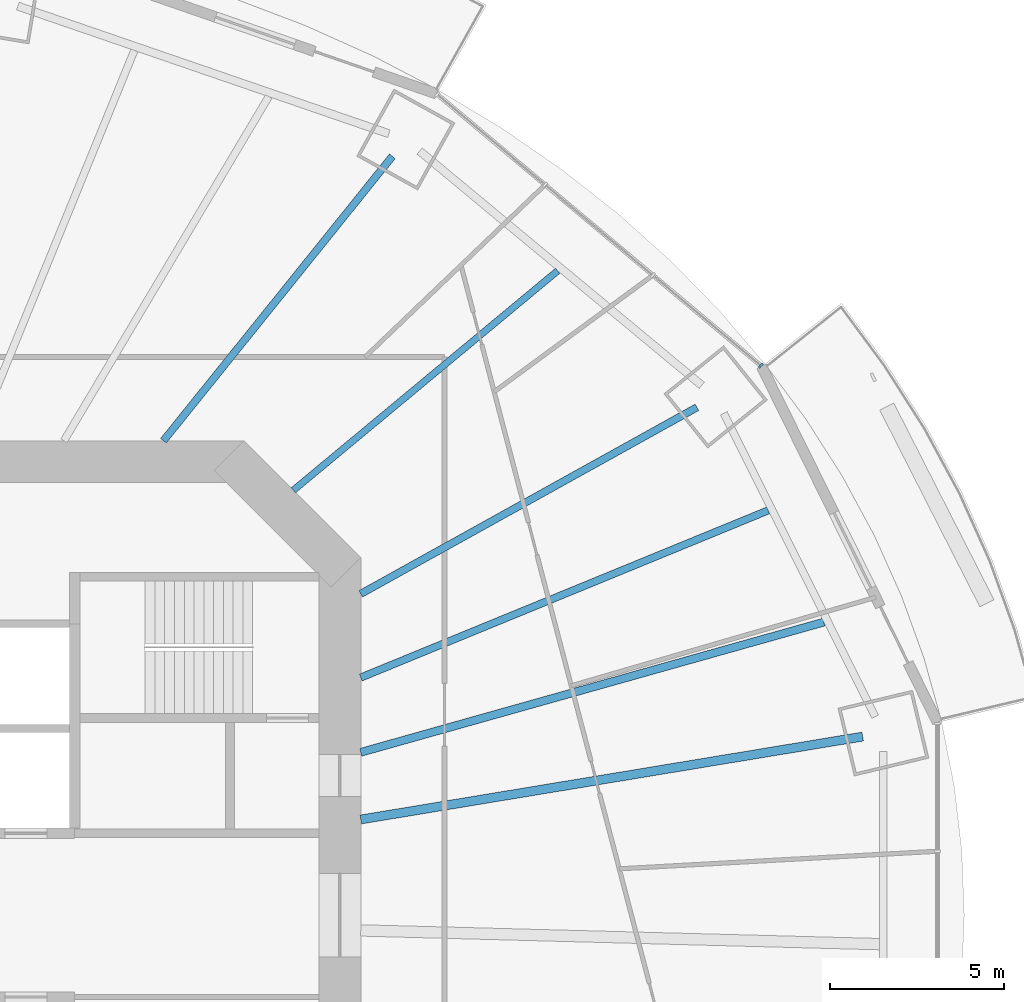
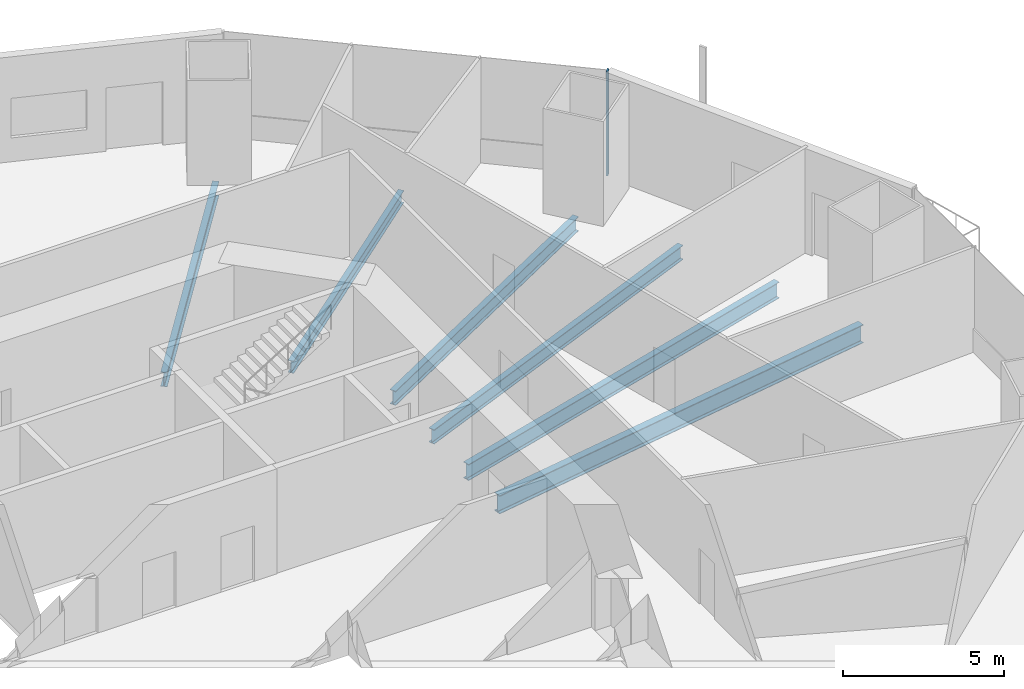
# One storey, part 8 of 21: 6 beams, 1 member, 1 element without a shape of its own.
"""IFC4 building model written with IfcOpenShell, lengths in metres."""

from ifc_helpers import new_model, si_unit, direction, frame, origin, origin_2d, place, context, subcontext, project, spatial, rectangle, i_section, extrude, material, material_profile, profile_set, type_object, element, aggregate, save


model = new_model("IFC4")

# Units and contexts
model_context = context("Model", 3, precision=1e-05, world=origin(), true_north=direction((0.0, 1.0)))
body_context = subcontext(model_context, "Body", "Model", "MODEL_VIEW")
ifc_project = project(units=[si_unit("LENGTHUNIT", "METRE"), si_unit("AREAUNIT", "SQUARE_METRE"), si_unit("VOLUMEUNIT", "CUBIC_METRE"), si_unit("PLANEANGLEUNIT", "RADIAN"), si_unit("MASSUNIT", "GRAM", prefix="KILO")], contexts=[model_context])

# Site, building, storey
site_placement = place(None, origin())
site = spatial("IfcSite", under=ifc_project, at=site_placement, CompositionType="ELEMENT")
building_placement = place(site_placement, origin())
building = spatial("IfcBuilding", under=site, at=building_placement, Name="Marenthal Gate Tower", CompositionType="ELEMENT")
storey_placement = place(building_placement, frame((0.0, 0.0, 128.449951171875)))
storey = spatial("IfcBuildingStorey", under=building, at=storey_placement, Name="L27", CompositionType="ELEMENT", Elevation=128.449951171875)

# Curtain wall, member
ifc_material_1 = material(Name="Aluminium and glass", Category="aluminium")
curtain_wall_type = type_object("IfcCurtainWallType", Name="Curtain wall typical low", PredefinedType="NOTDEFINED", material=ifc_material_1)
curtain_wall_placement = place(storey_placement, origin())
curtain_wall = element("IfcCurtainWall", 1, at=curtain_wall_placement, inside=storey, type_object=curtain_wall_type, Name="Curtain wall L27 bay 2", PredefinedType="NOTDEFINED")
ifc_material_2 = material(Name="Aluminium", Category="aluminium")
ifc_material_profile_1 = material_profile(ifc_material_2, rectangle(XDim=0.159912109375, YDim=0.06005859375, at=origin_2d()), Name="60x160 aluminium mullion")
ifc_profile_set_1 = profile_set([ifc_material_profile_1], Name="Aluminium")
member_type = type_object("IfcMemberType", Name="Mullion 60x160 typical low", PredefinedType="MULLION", material=ifc_profile_set_1)
member_placement = place(storey_placement, frame((28.0673828125, 15.754150390625, 0.0), z_axis=(0.0, 0.0, 1.0), x_axis=(-0.642437868504, -0.766337774817, 0.0)))
member = element("IfcMember", 2, at=member_placement, type_object=member_type, Name="Mullion L27 bay 2.1", PredefinedType="MULLION", context=body_context, shape_type="SweptSolid", body=[
    extrude(rectangle(XDim=0.159912109375, YDim=0.06005859375, at=origin_2d()), origin(), (0.0, 0.0, 1.0), 3.969970703125),
])
aggregate(curtain_wall, [member])

# Beams
ifc_material_3 = material(Name="Steel S355", Category="steel")
ifc_material_profile_2 = material_profile(ifc_material_3, i_section(OverallWidth=0.193115234375, OverallDepth=0.467041015625, WebThickness=0.011474609375, FlangeThickness=0.01904296875, FilletRadius=0.010009765625, at=origin_2d()), Name="W460X97")
ifc_profile_set_2 = profile_set([ifc_material_profile_2], Name="Steel S355")
beam_type_1 = type_object("IfcBeamType", Name="W460X97 beam", PredefinedType="BEAM", material=ifc_profile_set_2)
beam_1_placement = place(storey_placement, frame((22.244384765625, 18.4716796875, -0.413330078125), z_axis=(-0.7693296468, -0.638852013031, 0.0), x_axis=(0.638852013031, -0.7693296468, 0.0)))
element("IfcBeam", 3, at=beam_1_placement, inside=storey, type_object=beam_type_1, Name="BM-L27-19", PredefinedType="BEAM", context=body_context, shape_type="SweptSolid", body=[
    extrude(i_section(OverallWidth=0.193115234375, OverallDepth=0.467041015625, WebThickness=0.011474609375, FlangeThickness=0.01904296875, FilletRadius=0.010009765625, at=origin_2d()), origin(), (0.0, 0.0, 1.0), 9.84765625),
])
ifc_material_4 = material(Name="Steel S355", Category="steel")
ifc_material_profile_3 = material_profile(ifc_material_4, i_section(OverallWidth=0.2119140625, OverallDepth=0.5439453125, WebThickness=0.01318359375, FlangeThickness=0.021240234375, FilletRadius=0.0126953125, at=origin_2d()), Name="W530X123")
ifc_profile_set_3 = profile_set([ifc_material_profile_3], Name="Steel S355")
beam_type_2 = type_object("IfcBeamType", Name="W530X123 beam", PredefinedType="BEAM", material=ifc_profile_set_3)
beam_2_placement = place(storey_placement, frame((26.23779296875, 14.55810546875, -0.451904296875), z_axis=(-0.874421492378, -0.485167036872, 0.0), x_axis=(0.485167036872, -0.874421492378, 0.0)))
element("IfcBeam", 4, at=beam_2_placement, inside=storey, type_object=beam_type_2, Name="BM-L27-02", PredefinedType="BEAM", context=body_context, shape_type="SweptSolid", body=[
    extrude(i_section(OverallWidth=0.2119140625, OverallDepth=0.5439453125, WebThickness=0.01318359375, FlangeThickness=0.021240234375, FilletRadius=0.0126953125, at=origin_2d()), origin(), (0.0, 0.0, 1.0), 11.021728515625),
])
beam_3_placement = place(storey_placement, frame((17.505126953125, 21.755126953125, -0.451904296875), z_axis=(-0.626891327439, -0.779106708726, 0.0), x_axis=(0.779106708726, -0.626891327439, 0.0)))
element("IfcBeam", 5, at=beam_3_placement, inside=storey, type_object=beam_type_2, Name="BM-L27-03", PredefinedType="BEAM", context=body_context, shape_type="SweptSolid", body=[
    extrude(i_section(OverallWidth=0.2119140625, OverallDepth=0.5439453125, WebThickness=0.01318359375, FlangeThickness=0.021240234375, FilletRadius=0.0126953125, at=origin_2d()), origin(), (0.0, 0.0, 1.0), 10.467041015625),
])
beam_4_placement = place(storey_placement, frame((28.281005859375, 11.603515625, -0.451904296875), z_axis=(-0.925153122317, -0.379594125702, 0.0), x_axis=(0.379594125702, -0.925153122317, 0.0)))
element("IfcBeam", 6, at=beam_4_placement, inside=storey, type_object=beam_type_2, Name="BM-L27-18", PredefinedType="BEAM", context=body_context, shape_type="SweptSolid", body=[
    extrude(i_section(OverallWidth=0.2119140625, OverallDepth=0.5439453125, WebThickness=0.01318359375, FlangeThickness=0.021240234375, FilletRadius=0.0126953125, at=origin_2d()), origin(), (0.0, 0.0, 1.0), 12.6259765625),
])
ifc_material_5 = material(Name="Steel S355", Category="steel")
ifc_material_profile_4 = material_profile(ifc_material_5, i_section(OverallWidth=0.22900390625, OverallDepth=0.612060546875, WebThickness=0.011962890625, FlangeThickness=0.01953125, FilletRadius=0.0126953125, at=origin_2d()), Name="W610X125")
ifc_profile_set_4 = profile_set([ifc_material_profile_4], Name="Steel S355")
beam_type_3 = type_object("IfcBeamType", Name="W610X125 beam", PredefinedType="BEAM", material=ifc_profile_set_4)
beam_5_placement = place(storey_placement, frame((29.87841796875, 8.401123046875, -0.48583984375), z_axis=(-0.962667661215, -0.270686117213, 0.0), x_axis=(0.270686117213, -0.962667661215, 0.0)))
element("IfcBeam", 7, at=beam_5_placement, inside=storey, type_object=beam_type_3, Name="BM-L27-17", PredefinedType="BEAM", context=body_context, shape_type="SweptSolid", body=[
    extrude(i_section(OverallWidth=0.22900390625, OverallDepth=0.612060546875, WebThickness=0.011962890625, FlangeThickness=0.01953125, FilletRadius=0.0126953125, at=origin_2d()), origin(), (0.0, 0.0, 1.0), 13.793212890625),
])
ifc_material_6 = material(Name="Steel S355", Category="steel")
ifc_material_profile_5 = material_profile(ifc_material_6, i_section(OverallWidth=0.257080078125, OverallDepth=0.693115234375, WebThickness=0.014404296875, FlangeThickness=0.023681640625, FilletRadius=0.015380859375, at=origin_2d()), Name="W690X170")
ifc_profile_set_5 = profile_set([ifc_material_profile_5], Name="Steel S355")
beam_type_4 = type_object("IfcBeamType", Name="W690X170 beam", PredefinedType="BEAM", material=ifc_profile_set_5)
beam_6_placement = place(storey_placement, frame((30.990478515625, 5.118896484375, -0.5263671875), z_axis=(-0.986631300462, -0.162968331122, 0.0), x_axis=(0.162968331122, -0.986631300462, 0.0)))
element("IfcBeam", 8, at=beam_6_placement, inside=storey, type_object=beam_type_4, Name="BM-L27-01", PredefinedType="BEAM", context=body_context, shape_type="SweptSolid", body=[
    extrude(i_section(OverallWidth=0.257080078125, OverallDepth=0.693115234375, WebThickness=0.014404296875, FlangeThickness=0.023681640625, FilletRadius=0.015380859375, at=origin_2d()), origin(), (0.0, 0.0, 1.0), 14.58544921875),
])

save(model, "model.ifc")
